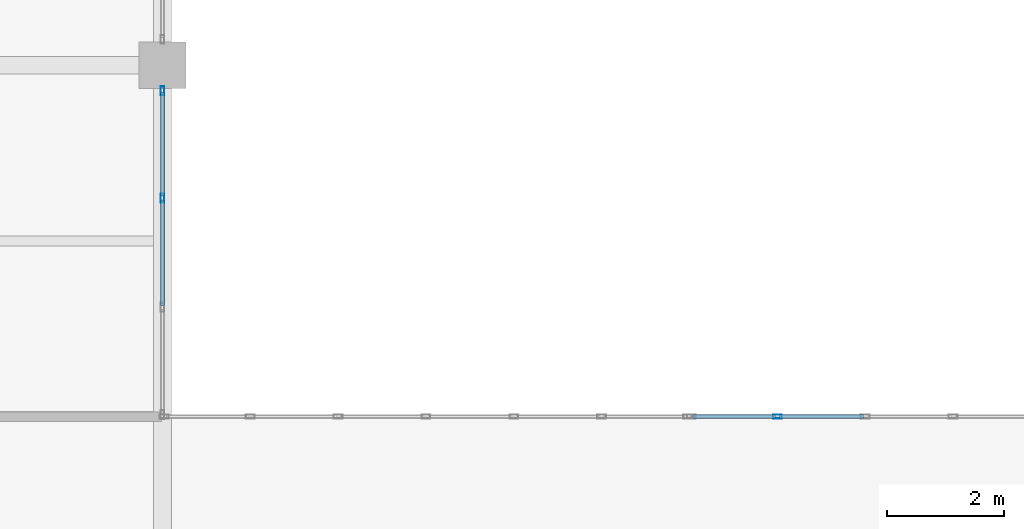
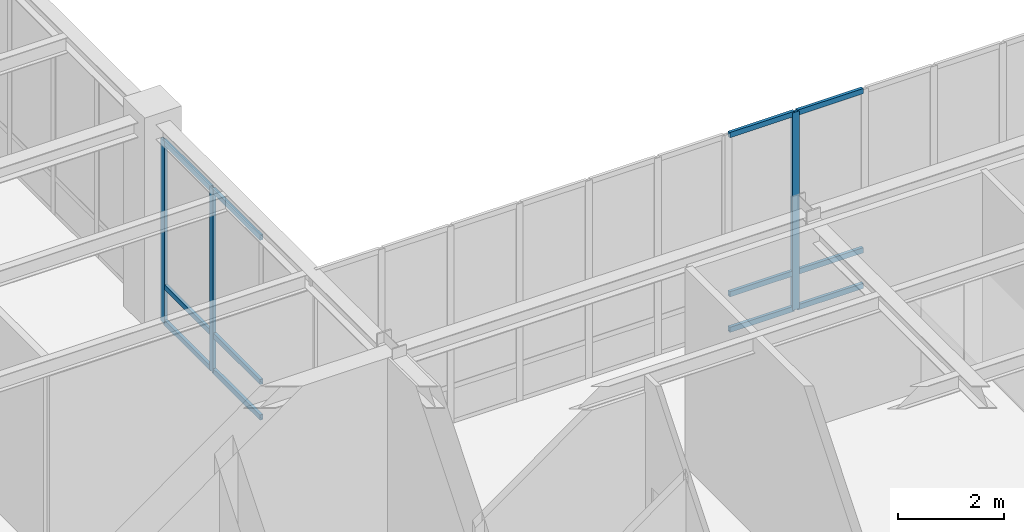
# One storey, part 17 of 92: 15 members, 2 elements without a shape of their own.
"""IFC4 building model written with IfcOpenShell, lengths in metres."""

from ifc_helpers import new_model, si_unit, direction, frame, origin, origin_2d, place, context, subcontext, project, spatial, hollow_rectangle, extrude, material, material_profile, profile_set, type_object, element, aggregate, save


model = new_model("IFC4")

# Units and contexts
model_context = context("Model", 3, precision=1e-05, world=origin(), true_north=direction((0.0, 1.0)))
body_context = subcontext(model_context, "Body", "Model", "MODEL_VIEW")
ifc_project = project(units=[si_unit("LENGTHUNIT", "METRE"), si_unit("AREAUNIT", "SQUARE_METRE"), si_unit("VOLUMEUNIT", "CUBIC_METRE"), si_unit("PLANEANGLEUNIT", "RADIAN"), si_unit("MASSUNIT", "GRAM", prefix="KILO")], contexts=[model_context])

# Site, building, storey
site_placement = place(None, origin())
site = spatial("IfcSite", under=ifc_project, at=site_placement, CompositionType="ELEMENT")
building_placement = place(site_placement, origin())
building = spatial("IfcBuilding", under=site, at=building_placement, Name="Lykobir Media Centre", CompositionType="ELEMENT")
storey_placement = place(building_placement, frame((0.0, 0.0, 5.39990234375)))
storey = spatial("IfcBuildingStorey", under=building, at=storey_placement, Name="L01", CompositionType="ELEMENT", Elevation=5.39990234375)

# Curtain wall, member
ifc_material = material(Name="Anodized Aluminium AW-6060", Category="aluminium")
curtain_wall_type = type_object("IfcCurtainWallType", Name="CW-COURT-A", PredefinedType="NOTDEFINED", material=ifc_material)
curtain_wall_1_placement = place(storey_placement, origin())
curtain_wall_1 = element("IfcCurtainWall", 1, at=curtain_wall_1_placement, inside=storey, type_object=curtain_wall_type, Name="Curtain wall CW2-L01-0045", PredefinedType="NOTDEFINED")
ifc_material_profile_1 = material_profile(ifc_material, hollow_rectangle(XDim=0.06494140625, YDim=0.14990234375, WallThickness=0.00341796875, at=origin_2d()), Name="ALU MULLION 65x150")
ifc_profile_set_1 = profile_set([ifc_material_profile_1], Name="Anodized Aluminium AW-6060")
member_type_1 = type_object("IfcMemberType", Name="CWM-150", PredefinedType="MULLION", material=ifc_profile_set_1)
member_1_placement = place(storey_placement, frame((46.5, 21.0, 0.0), z_axis=(0.0, 0.0, 1.0), x_axis=(0.0, 1.0, 0.0)))
member_1 = element("IfcMember", 2, at=member_1_placement, type_object=member_type_1, Name="CW2-L01-0045 mullion 2", PredefinedType="MULLION", context=body_context, shape_type="SweptSolid", body=[
    extrude(hollow_rectangle(XDim=0.06494140625, YDim=0.14990234375, WallThickness=0.00341796875, at=origin_2d()), origin(), (0.0, 0.0, 1.0), 4.5400390625),
])

# Curtain wall, members
curtain_wall_2_placement = place(storey_placement, origin())
curtain_wall_2 = element("IfcCurtainWall", 3, at=curtain_wall_2_placement, inside=storey, type_object=curtain_wall_type, Name="Curtain wall CW2-L01-0048", PredefinedType="NOTDEFINED")
member_2_placement = place(storey_placement, frame((36.0, 26.5625, 0.0), z_axis=(0.0, 0.0, 1.0), x_axis=(1.0, 0.0, 0.0)))
member_2 = element("IfcMember", 4, at=member_2_placement, type_object=member_type_1, Name="CW2-L01-0048 mullion 1", PredefinedType="MULLION", context=body_context, shape_type="SweptSolid", body=[
    extrude(hollow_rectangle(XDim=0.06494140625, YDim=0.14990234375, WallThickness=0.00341796875, at=origin_2d()), origin(), (0.0, 0.0, 1.0), 4.195068359375),
])
member_3_placement = place(storey_placement, frame((36.0, 24.72998046875, 0.0), z_axis=(0.0, 0.0, 1.0), x_axis=(1.0, 0.0, 0.0)))
member_3 = element("IfcMember", 5, at=member_3_placement, type_object=member_type_1, Name="CW2-L01-0048 mullion 2", PredefinedType="MULLION", context=body_context, shape_type="SweptSolid", body=[
    extrude(hollow_rectangle(XDim=0.06494140625, YDim=0.14990234375, WallThickness=0.00341796875, at=origin_2d()), origin(), (0.0, 0.0, 1.0), 4.195068359375),
])

# Member
ifc_material_profile_2 = material_profile(ifc_material, hollow_rectangle(XDim=0.06494140625, YDim=0.1201171875, WallThickness=0.0029296875, at=origin_2d()), Name="ALU TRANSOM 65x120")
ifc_profile_set_2 = profile_set([ifc_material_profile_2], Name="Anodized Aluminium AW-6060")
member_type_2 = type_object("IfcMemberType", Name="CWT-120", PredefinedType="USERDEFINED", material=ifc_profile_set_2)
member_4_placement = place(storey_placement, frame((45.06494140625, 21.0, 0.03271484375), z_axis=(1.0, 0.0, 0.0), x_axis=(0.0, 1.0, 0.0)))
member_4 = element("IfcMember", 6, at=member_4_placement, type_object=member_type_2, Name="CW2-L01-0045 transom 1.1", ObjectType="TRANSOM", PredefinedType="USERDEFINED", context=body_context, shape_type="SweptSolid", body=[
    extrude(hollow_rectangle(XDim=0.06494140625, YDim=0.1201171875, WallThickness=0.0029296875, at=origin_2d()), origin(), (0.0, 0.0, 1.0), 1.402587890625),
])

member_5_placement = place(storey_placement, frame((45.06494140625, 21.0, 0.85009765625), z_axis=(1.0, 0.0, 0.0), x_axis=(0.0, 1.0, 0.0)))
member_5 = element("IfcMember", 7, at=member_5_placement, type_object=member_type_2, Name="CW2-L01-0045 transom 1.2", ObjectType="TRANSOM", PredefinedType="USERDEFINED", context=body_context, shape_type="SweptSolid", body=[
    extrude(hollow_rectangle(XDim=0.06494140625, YDim=0.1201171875, WallThickness=0.0029296875, at=origin_2d()), origin(), (0.0, 0.0, 1.0), 1.402587890625),
])

member_6_placement = place(storey_placement, frame((45.06494140625, 21.0, 4.507568359375), z_axis=(1.0, 0.0, 0.0), x_axis=(0.0, 1.0, 0.0)))
member_6 = element("IfcMember", 8, at=member_6_placement, type_object=member_type_2, Name="CW2-L01-0045 transom 1.3", ObjectType="TRANSOM", PredefinedType="USERDEFINED", context=body_context, shape_type="SweptSolid", body=[
    extrude(hollow_rectangle(XDim=0.06494140625, YDim=0.1201171875, WallThickness=0.0029296875, at=origin_2d()), origin(), (0.0, 0.0, 1.0), 1.402587890625),
])

member_7_placement = place(storey_placement, frame((46.532470703125, 21.0, 0.03271484375), z_axis=(1.0, 0.0, 0.0), x_axis=(0.0, 1.0, 0.0)))
member_7 = element("IfcMember", 9, at=member_7_placement, type_object=member_type_2, Name="CW2-L01-0045 transom 2.1", ObjectType="TRANSOM", PredefinedType="USERDEFINED", context=body_context, shape_type="SweptSolid", body=[
    extrude(hollow_rectangle(XDim=0.06494140625, YDim=0.1201171875, WallThickness=0.0029296875, at=origin_2d()), origin(), (0.0, 0.0, 1.0), 1.43505859375),
])

member_8_placement = place(storey_placement, frame((46.532470703125, 21.0, 0.85009765625), z_axis=(1.0, 0.0, 0.0), x_axis=(0.0, 1.0, 0.0)))
member_8 = element("IfcMember", 10, at=member_8_placement, type_object=member_type_2, Name="CW2-L01-0045 transom 2.2", ObjectType="TRANSOM", PredefinedType="USERDEFINED", context=body_context, shape_type="SweptSolid", body=[
    extrude(hollow_rectangle(XDim=0.06494140625, YDim=0.1201171875, WallThickness=0.0029296875, at=origin_2d()), origin(), (0.0, 0.0, 1.0), 1.43505859375),
])

member_9_placement = place(storey_placement, frame((46.532470703125, 21.0, 4.507568359375), z_axis=(1.0, 0.0, 0.0), x_axis=(0.0, 1.0, 0.0)))
member_9 = element("IfcMember", 11, at=member_9_placement, type_object=member_type_2, Name="CW2-L01-0045 transom 2.3", ObjectType="TRANSOM", PredefinedType="USERDEFINED", context=body_context, shape_type="SweptSolid", body=[
    extrude(hollow_rectangle(XDim=0.06494140625, YDim=0.1201171875, WallThickness=0.0029296875, at=origin_2d()), origin(), (0.0, 0.0, 1.0), 1.43505859375),
])

aggregate(curtain_wall_1, [member_1, member_4, member_5, member_6, member_7, member_8, member_9])

member_10_placement = place(storey_placement, frame((36.0, 26.530029296875, 0.03271484375), z_axis=(0.0, -1.0, 0.0), x_axis=(1.0, 0.0, 0.0)))
member_10 = element("IfcMember", 12, at=member_10_placement, type_object=member_type_2, Name="CW2-L01-0048 transom 1.1", ObjectType="TRANSOM", PredefinedType="USERDEFINED", context=body_context, shape_type="SweptSolid", body=[
    extrude(hollow_rectangle(XDim=0.06494140625, YDim=0.1201171875, WallThickness=0.0029296875, at=origin_2d()), origin(), (0.0, 0.0, 1.0), 1.767578125),
])

member_11_placement = place(storey_placement, frame((36.0, 26.530029296875, 0.85009765625), z_axis=(0.0, -1.0, 0.0), x_axis=(1.0, 0.0, 0.0)))
member_11 = element("IfcMember", 13, at=member_11_placement, type_object=member_type_2, Name="CW2-L01-0048 transom 1.2", ObjectType="TRANSOM", PredefinedType="USERDEFINED", context=body_context, shape_type="SweptSolid", body=[
    extrude(hollow_rectangle(XDim=0.06494140625, YDim=0.1201171875, WallThickness=0.0029296875, at=origin_2d()), origin(), (0.0, 0.0, 1.0), 1.767578125),
])

member_12_placement = place(storey_placement, frame((36.0, 26.530029296875, 4.16259765625), z_axis=(0.0, -1.0, 0.0), x_axis=(1.0, 0.0, 0.0)))
member_12 = element("IfcMember", 14, at=member_12_placement, type_object=member_type_2, Name="CW2-L01-0048 transom 1.3", ObjectType="TRANSOM", PredefinedType="USERDEFINED", context=body_context, shape_type="SweptSolid", body=[
    extrude(hollow_rectangle(XDim=0.06494140625, YDim=0.1201171875, WallThickness=0.0029296875, at=origin_2d()), origin(), (0.0, 0.0, 1.0), 1.767578125),
])

member_13_placement = place(storey_placement, frame((36.0, 24.697509765625, 0.03271484375), z_axis=(0.0, -1.0, 0.0), x_axis=(1.0, 0.0, 0.0)))
member_13 = element("IfcMember", 15, at=member_13_placement, type_object=member_type_2, Name="CW2-L01-0048 transom 2.1", ObjectType="TRANSOM", PredefinedType="USERDEFINED", context=body_context, shape_type="SweptSolid", body=[
    extrude(hollow_rectangle(XDim=0.06494140625, YDim=0.1201171875, WallThickness=0.0029296875, at=origin_2d()), origin(), (0.0, 0.0, 1.0), 1.800048828125),
])

member_14_placement = place(storey_placement, frame((36.0, 24.697509765625, 0.85009765625), z_axis=(0.0, -1.0, 0.0), x_axis=(1.0, 0.0, 0.0)))
member_14 = element("IfcMember", 16, at=member_14_placement, type_object=member_type_2, Name="CW2-L01-0048 transom 2.2", ObjectType="TRANSOM", PredefinedType="USERDEFINED", context=body_context, shape_type="SweptSolid", body=[
    extrude(hollow_rectangle(XDim=0.06494140625, YDim=0.1201171875, WallThickness=0.0029296875, at=origin_2d()), origin(), (0.0, 0.0, 1.0), 1.800048828125),
])

member_15_placement = place(storey_placement, frame((36.0, 24.697509765625, 4.16259765625), z_axis=(0.0, -1.0, 0.0), x_axis=(1.0, 0.0, 0.0)))
member_15 = element("IfcMember", 17, at=member_15_placement, type_object=member_type_2, Name="CW2-L01-0048 transom 2.3", ObjectType="TRANSOM", PredefinedType="USERDEFINED", context=body_context, shape_type="SweptSolid", body=[
    extrude(hollow_rectangle(XDim=0.06494140625, YDim=0.1201171875, WallThickness=0.0029296875, at=origin_2d()), origin(), (0.0, 0.0, 1.0), 1.800048828125),
])

aggregate(curtain_wall_2, [member_2, member_3, member_10, member_11, member_12, member_13, member_14, member_15])

save(model, "model.ifc")
